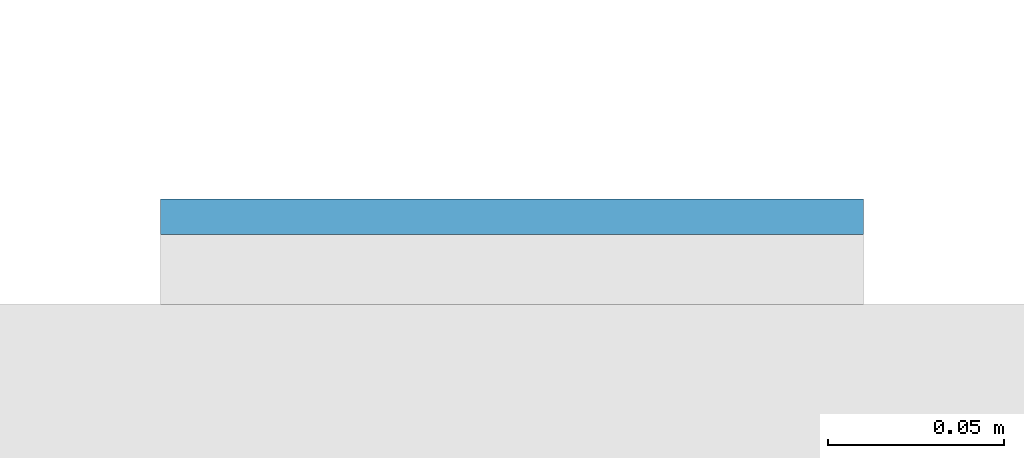
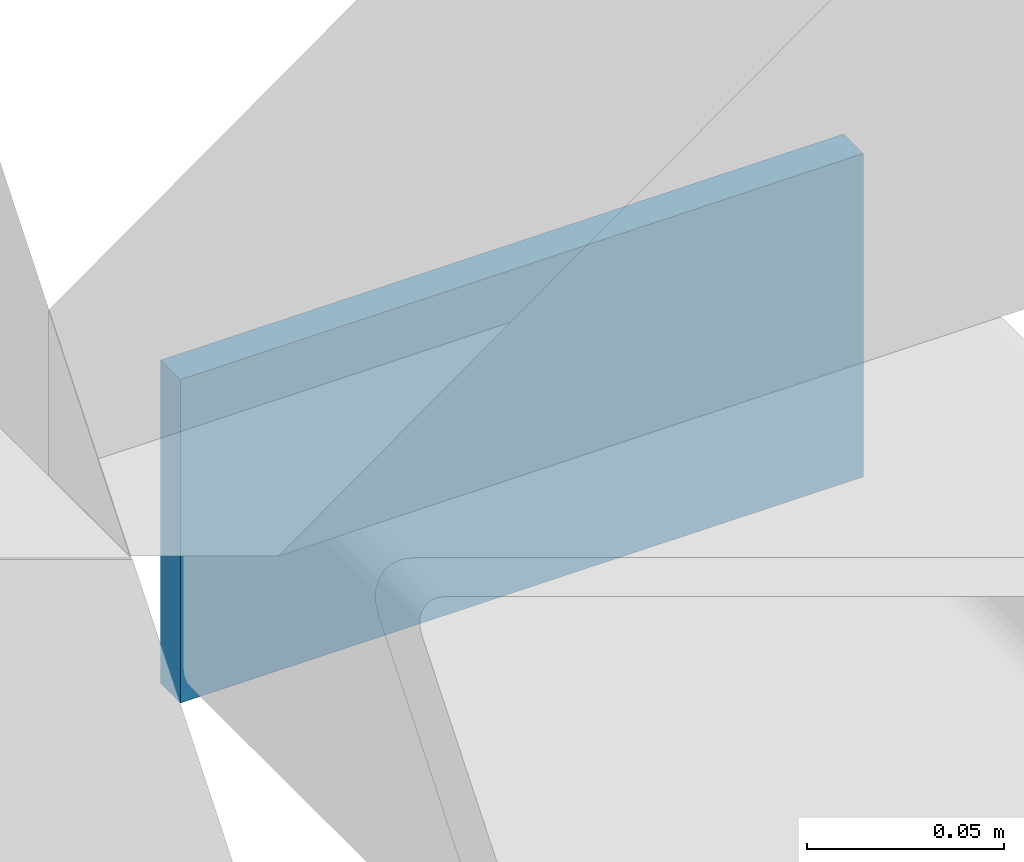
# One storey, part 11 of 20: 1 plate.
"""IFC4 building model written with IfcOpenShell, lengths in metres."""

from ifc_helpers import new_model, si_unit, direction, frame, origin, origin_2d, place, context, subcontext, project, spatial, rectangle, extrude, material, layer, layer_set, type_object, element, save


model = new_model("IFC4")

# Units and contexts
model_context = context("Model", 3, precision=1e-05, world=origin(), true_north=direction((0.0, 1.0)))
body_context = subcontext(model_context, "Body", "Model", "MODEL_VIEW")
ifc_project = project(units=[si_unit("LENGTHUNIT", "METRE"), si_unit("AREAUNIT", "SQUARE_METRE"), si_unit("VOLUMEUNIT", "CUBIC_METRE"), si_unit("PLANEANGLEUNIT", "RADIAN"), si_unit("MASSUNIT", "GRAM", prefix="KILO")], contexts=[model_context])

# Site, building, storey
site_placement = place(None, origin())
site = spatial("IfcSite", under=ifc_project, at=site_placement, CompositionType="ELEMENT")
building_placement = place(site_placement, origin())
building = spatial("IfcBuilding", under=site, at=building_placement, Name="Cleftline Residences", CompositionType="ELEMENT")
storey_placement = place(building_placement, frame((0.0, 0.0, 143.0)))
storey = spatial("IfcBuildingStorey", under=building, at=storey_placement, Name="L37", CompositionType="ELEMENT", Elevation=143.0)

# Plate
ifc_material = material(Name="Steel S355, hot-dip galvanised", Category="steel")
ifc_layer = layer(ifc_material, 0.010009765625)
ifc_layer_set = layer_set([ifc_layer], Name="BAGUETTE CARRIER END PLATE 200X100X10")
plate_type = type_object("IfcPlateType", Name="BAGUETTE CARRIER END PLATE 200X100X10", PredefinedType="USERDEFINED", material=ifc_layer_set)
plate_placement = place(storey_placement, frame((66.85009765625, 44.304931640625, -0.10009765625), z_axis=(0.0, 0.0, 1.0), x_axis=(1.0, 0.0, 0.0)))
element("IfcPlate", 1, at=plate_placement, inside=storey, type_object=plate_type, Name="Baguette carrier end plate", ObjectType="BAGUETTE CARRIER END PLATE", PredefinedType="USERDEFINED", context=body_context, shape_type="SweptSolid", body=[
    extrude(rectangle(XDim=0.199951171875, YDim=0.010009765625, at=origin_2d()), origin(), (0.0, 0.0, 1.0), 0.10009765625),
])

save(model, "model.ifc")
